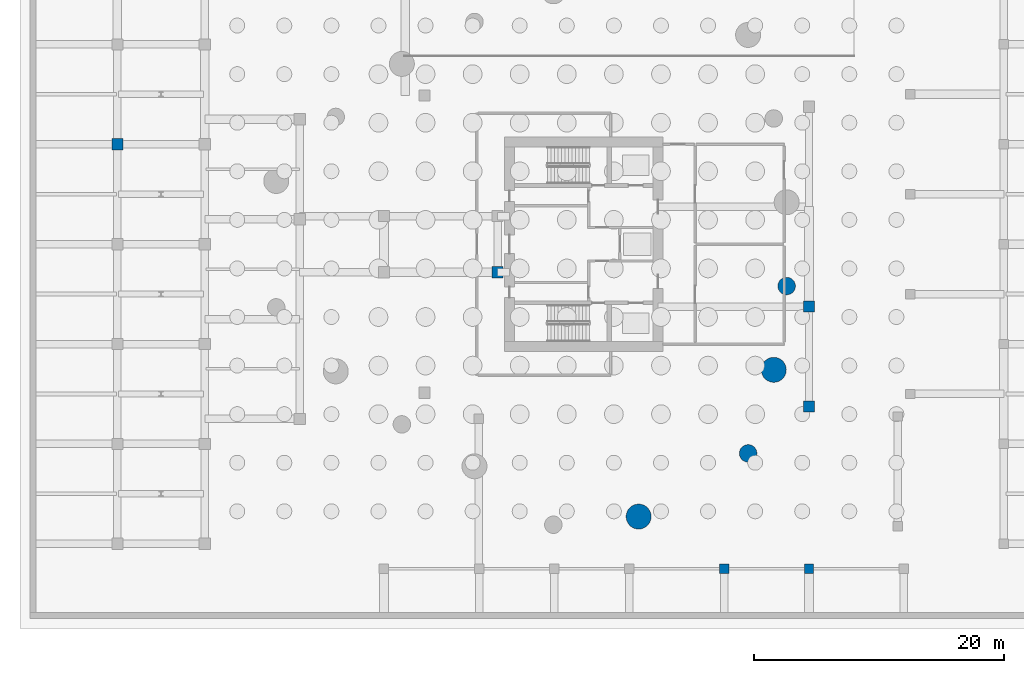
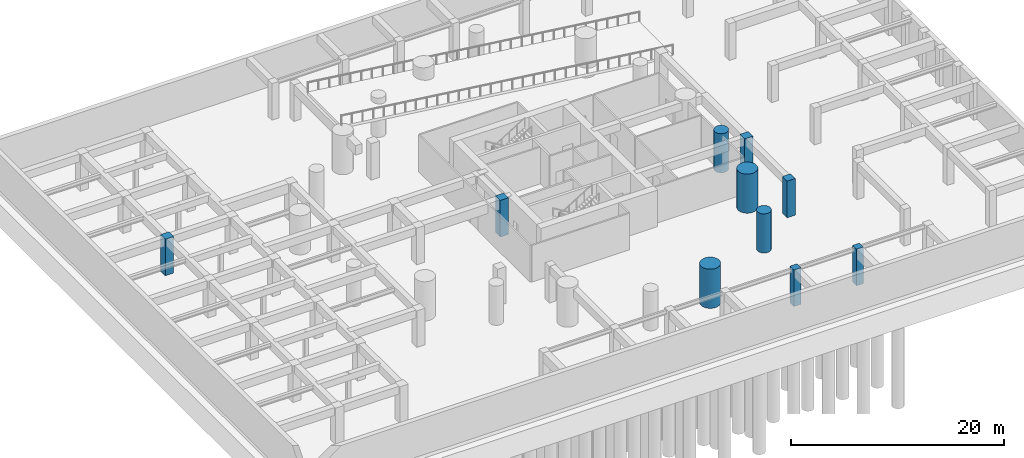
# One storey, part 3 of 11: 10 columns.
"""IFC4 building model written with IfcOpenShell, lengths in metres."""

from ifc_helpers import new_model, si_unit, direction, frame, origin, origin_2d, place, context, subcontext, project, spatial, rectangle, circle, extrude, source, transform, mapped, material, material_profile, profile_set, type_object, element, save


model = new_model("IFC4")

# Units and contexts
model_context = context("Model", 3, precision=1e-05, world=origin(), true_north=direction((0.0, 1.0)))
body_context = subcontext(model_context, "Body", "Model", "MODEL_VIEW")
ifc_project = project(units=[si_unit("LENGTHUNIT", "METRE"), si_unit("AREAUNIT", "SQUARE_METRE"), si_unit("VOLUMEUNIT", "CUBIC_METRE"), si_unit("PLANEANGLEUNIT", "RADIAN"), si_unit("MASSUNIT", "GRAM", prefix="KILO")], contexts=[model_context])

# Site, building, storey
site_placement = place(None, origin())
site = spatial("IfcSite", under=ifc_project, at=site_placement, CompositionType="ELEMENT")
building_placement = place(site_placement, origin())
building = spatial("IfcBuilding", under=site, at=building_placement, Name="Qafzar Sky-Pleat Residences", CompositionType="ELEMENT")
storey_placement = place(building_placement, frame((0.0, 0.0, -8.699951171875)))
storey = spatial("IfcBuildingStorey", under=building, at=storey_placement, Name="B02", CompositionType="ELEMENT", Elevation=-8.699951171875)

# Columns
ifc_material = material(Name="Concrete C60/75", Category="concrete")
ifc_material_profile_1 = material_profile(ifc_material, circle(Radius=1.0, at=origin_2d()), Name="RC D2000")
ifc_profile_set_1 = profile_set([ifc_material_profile_1], Name="Concrete C60/75")
column_type_1 = type_object("IfcColumnType", Name="COL-STILT-D2000", PredefinedType="COLUMN", material=ifc_profile_set_1)
shared_shape_1 = source(origin(), body_context, "Body", "SweptSolid", [
    extrude(circle(Radius=1.0, at=origin_2d()), origin(), (0.0, 0.0, 1.0), 4.494873046875),
])
for number, where, z_axis, x_axis, name in (
    (1, (34.753173828125, 4.177490234375, 0.0), (0.0, 0.0, 1.0), (1.0, 0.0, 0.0), "B02 Mega-Column STILT-04"),
    (2, (45.578125, 15.93408203125, 0.0), (0.0, 0.0, 1.0), (1.0, 0.0, 0.0), "B02 Mega-Column STILT-05"),
):
    element("IfcColumn", number, at=place(storey_placement, frame(where, z_axis=z_axis, x_axis=x_axis)), inside=storey, type_object=column_type_1, Name=name, PredefinedType="COLUMN", context=body_context, shape_type="MappedRepresentation", body=[
        mapped(shared_shape_1, transform((0.0, 0.0, 0.0), x_axis=(1.0, 0.0, 0.0), y_axis=(0.0, 1.0, 0.0), z_axis=(0.0, 0.0, 1.0), scale=1.0)),
    ])
ifc_material_profile_2 = material_profile(ifc_material, circle(Radius=0.699951171875, at=origin_2d()), Name="RC D1400")
ifc_profile_set_2 = profile_set([ifc_material_profile_2], Name="Concrete C60/75")
column_type_2 = type_object("IfcColumnType", Name="COL-MEGA-D1400", PredefinedType="COLUMN", material=ifc_profile_set_2)
shared_shape_2 = source(origin(), body_context, "Body", "SweptSolid", [
    extrude(circle(Radius=0.699951171875, at=origin_2d()), origin(), (0.0, 0.0, 1.0), 4.494873046875),
])
for number, where, z_axis, x_axis, name in (
    (3, (43.522216796875, 9.240234375, 0.0), (0.0, 0.0, 1.0), (1.0, 0.0, 0.0), "B02 Branch Mega-Column STILT-BR-04"),
    (4, (46.610107421875, 22.642578125, 0.0), (0.0, 0.0, 1.0), (1.0, 0.0, 0.0), "B02 Branch Mega-Column STILT-BR-05"),
):
    element("IfcColumn", number, at=place(storey_placement, frame(where, z_axis=z_axis, x_axis=x_axis)), inside=storey, type_object=column_type_2, Name=name, PredefinedType="COLUMN", context=body_context, shape_type="MappedRepresentation", body=[
        mapped(shared_shape_2, transform((0.0, 0.0, 0.0), x_axis=(1.0, 0.0, 0.0), y_axis=(0.0, 1.0, 0.0), z_axis=(0.0, 0.0, 1.0), scale=1.0)),
    ])
ifc_material_profile_3 = material_profile(ifc_material, rectangle(XDim=0.89990234375, YDim=0.89990234375, at=origin_2d()), Name="RC 900x900")
ifc_profile_set_3 = profile_set([ifc_material_profile_3], Name="Concrete C60/75")
column_type_3 = type_object("IfcColumnType", Name="COL-RC-900", PredefinedType="COLUMN", material=ifc_profile_set_3)
shared_shape_3 = source(origin(), body_context, "Body", "SweptSolid", [
    extrude(rectangle(XDim=0.89990234375, YDim=0.89990234375, at=origin_2d()), origin(), (0.0, 0.0, 1.0), 4.199951171875),
])
for number, where, z_axis, x_axis, name in (
    (5, (-7.0, 34.0, 0.0), (0.0, 0.0, 1.0), (1.0, 0.0, 0.0), "B02 Substructure Column 5"),
    (6, (48.39990234375, 13.0, 0.0), (0.0, 0.0, 1.0), (1.0, 0.0, 0.0), "B02 Substructure Column 18"),
    (7, (48.39990234375, 21.0, 0.0), (0.0, 0.0, 1.0), (1.0, 0.0, 0.0), "B02 Substructure Column 19"),
    (8, (23.449951171875, 23.75, 0.0), (0.0, 0.0, 1.0), (1.0, 0.0, 0.0), "B02 Substructure Column 22"),
):
    element("IfcColumn", number, at=place(storey_placement, frame(where, z_axis=z_axis, x_axis=x_axis)), inside=storey, type_object=column_type_3, Name=name, PredefinedType="COLUMN", context=body_context, shape_type="MappedRepresentation", body=[
        mapped(shared_shape_3, transform((0.0, 0.0, 0.0), x_axis=(1.0, 0.0, 0.0), y_axis=(0.0, 1.0, 0.0), z_axis=(0.0, 0.0, 1.0), scale=1.0)),
    ])
ifc_material_profile_4 = material_profile(ifc_material, rectangle(XDim=0.75, YDim=0.75, at=origin_2d()), Name="RC 750x750")
ifc_profile_set_4 = profile_set([ifc_material_profile_4], Name="Concrete C60/75")
column_type_4 = type_object("IfcColumnType", Name="COL-RC-750", PredefinedType="COLUMN", material=ifc_profile_set_4)
shared_shape_4 = source(origin(), body_context, "Body", "SweptSolid", [
    extrude(rectangle(XDim=0.75, YDim=0.75, at=origin_2d()), origin(), (0.0, 0.0, 1.0), 4.199951171875),
])
for number, where, z_axis, x_axis, name in (
    (9, (41.60009765625, 0.0, 0.0), (0.0, 0.0, 1.0), (1.0, 0.0, 0.0), "B02 Substructure Column 33"),
    (10, (48.39990234375, 0.0, 0.0), (0.0, 0.0, 1.0), (1.0, 0.0, 0.0), "B02 Substructure Column 34"),
):
    element("IfcColumn", number, at=place(storey_placement, frame(where, z_axis=z_axis, x_axis=x_axis)), inside=storey, type_object=column_type_4, Name=name, PredefinedType="COLUMN", context=body_context, shape_type="MappedRepresentation", body=[
        mapped(shared_shape_4, transform((0.0, 0.0, 0.0), x_axis=(1.0, 0.0, 0.0), y_axis=(0.0, 1.0, 0.0), z_axis=(0.0, 0.0, 1.0), scale=1.0)),
    ])

save(model, "model.ifc")
